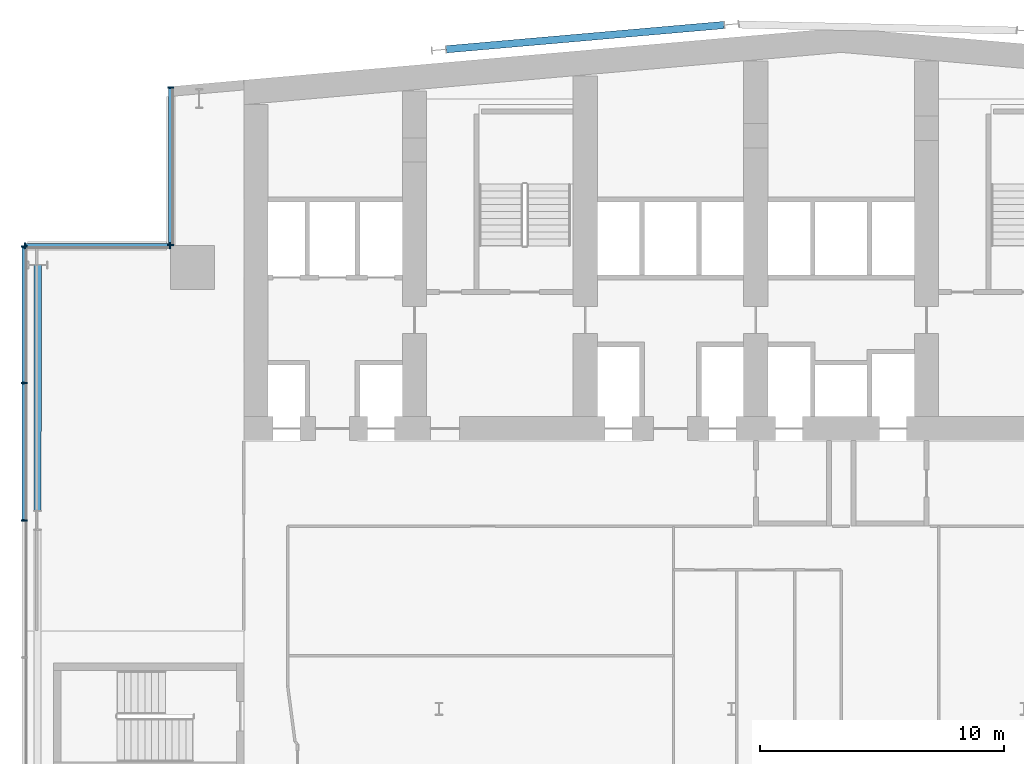
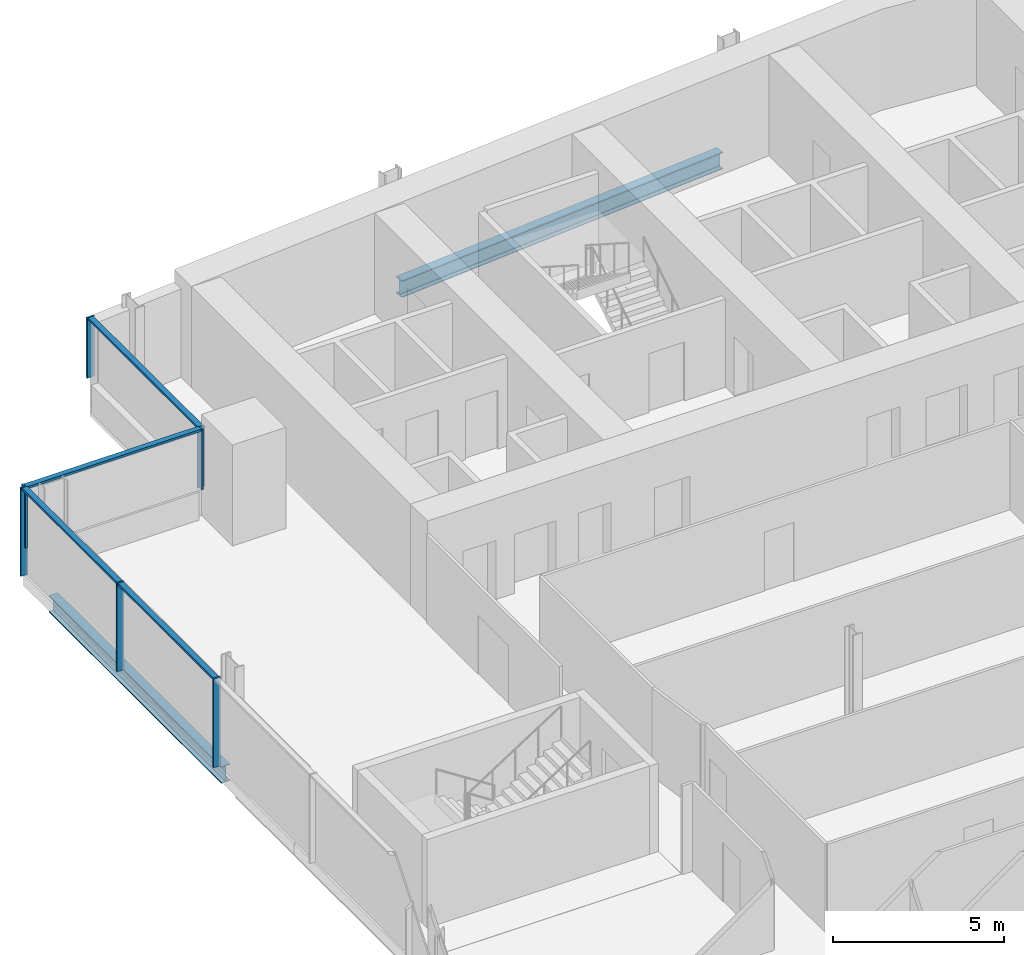
# One storey, part 8 of 25: 11 members, 2 beams, 3 elements without a shape of their own.
"""IFC4 building model written with IfcOpenShell, lengths in metres."""

from ifc_helpers import new_model, si_unit, direction, frame, origin, origin_2d, place, context, subcontext, project, spatial, rectangle, i_section, extrude, material, material_profile, profile_set, type_object, element, aggregate, save


model = new_model("IFC4")

# Units and contexts
model_context = context("Model", 3, precision=1e-05, world=origin(), true_north=direction((0.0, 1.0)))
body_context = subcontext(model_context, "Body", "Model", "MODEL_VIEW")
ifc_project = project(units=[si_unit("LENGTHUNIT", "METRE"), si_unit("AREAUNIT", "SQUARE_METRE"), si_unit("VOLUMEUNIT", "CUBIC_METRE"), si_unit("PLANEANGLEUNIT", "RADIAN"), si_unit("MASSUNIT", "GRAM", prefix="KILO")], contexts=[model_context])

# Site, building, storey
site_placement = place(None, origin())
site = spatial("IfcSite", under=ifc_project, at=site_placement, CompositionType="ELEMENT")
building_placement = place(site_placement, origin())
building = spatial("IfcBuilding", under=site, at=building_placement, Name="Wharfspan Tower", CompositionType="ELEMENT")
storey_placement = place(building_placement, frame((0.0, 0.0, 143.5)))
storey = spatial("IfcBuildingStorey", under=building, at=storey_placement, Name="L34", CompositionType="ELEMENT", Elevation=143.5)

# Beams
ifc_material_1 = material(Name="Steel S355J2", Category="steel")
ifc_material_profile_1 = material_profile(ifc_material_1, i_section(OverallWidth=0.300049, OverallDepth=0.600098, WebThickness=0.015381, FlangeThickness=0.030029, FilletRadius=0.0271, at=origin_2d()))
ifc_profile_set_1 = profile_set([ifc_material_profile_1], Name="Steel S355J2")
beam_type = type_object("IfcBeamType", Name="Edge beam HEB 600", PredefinedType="SPANDREL", material=ifc_profile_set_1)
beam_1_placement = place(storey_placement, frame((35.695068, 51.050537, -0.699951), z_axis=(-0.996194, -0.087162, 0.0), x_axis=(0.087162, -0.996194, 0.0)))
element("IfcBeam", 1, at=beam_1_placement, inside=storey, type_object=beam_type, Name="Edge beam N1 L34 R.2 to R.1", PredefinedType="SPANDREL", context=body_context, shape_type="SweptSolid", body=[
    extrude(i_section(OverallWidth=0.300049, OverallDepth=0.600098, WebThickness=0.015381, FlangeThickness=0.030029, FilletRadius=0.0271, at=origin_2d()), origin(), (0.0, 0.0, 1.0), 11.433594),
])
beam_2_placement = place(storey_placement, frame((7.544434, 41.201416, -0.699951), z_axis=(-0.000412, -1.0, 0.0), x_axis=(1.0, -0.000412, 0.0)))
element("IfcBeam", 2, at=beam_2_placement, inside=storey, type_object=beam_type, Name="Edge beam W L34 PNRW-H.1 to PW.1", PredefinedType="SPANDREL", context=body_context, shape_type="SweptSolid", body=[
    extrude(i_section(OverallWidth=0.300049, OverallDepth=0.600098, WebThickness=0.015381, FlangeThickness=0.030029, FilletRadius=0.0271, at=origin_2d()), origin(), (0.0, 0.0, 1.0), 10.065186),
])

# Curtain wall, members
ifc_material_2 = material(Name="Aluminium 6063-T6", Category="aluminium")
curtain_wall_type = type_object("IfcCurtainWallType", Name="CURTAIN WALL PROW AND END", PredefinedType="NOTDEFINED", material=ifc_material_2)
curtain_wall_1_placement = place(storey_placement, origin())
curtain_wall_1 = element("IfcCurtainWall", 3, at=curtain_wall_1_placement, inside=storey, type_object=curtain_wall_type, Name="Curtain wall NRW-V", PredefinedType="NOTDEFINED")
ifc_material_profile_2 = material_profile(ifc_material_2, rectangle(XDim=0.23999, YDim=0.060059, at=origin_2d()))
ifc_profile_set_2 = profile_set([ifc_material_profile_2], Name="Aluminium 6063-T6")
member_type_1 = type_object("IfcMemberType", Name="MULLION PROW AND END 60x240", PredefinedType="MULLION", material=ifc_profile_set_2)
member_1_placement = place(storey_placement, frame((13.0, 48.494873, 1.0), z_axis=(0.0, 0.0, 1.0), x_axis=(1.0, 0.0, 0.0)))
member_1 = element("IfcMember", 4, at=member_1_placement, type_object=member_type_1, Name="Curtain wall NRW-V mullion 1", PredefinedType="MULLION", context=body_context, shape_type="SweptSolid", body=[
    extrude(rectangle(XDim=0.23999, YDim=0.060059, at=origin_2d()), origin(), (0.0, 0.0, 1.0), 2.149902),
])
member_2_placement = place(storey_placement, frame((13.0, 42.030029, 1.0), z_axis=(0.0, 0.0, 1.0), x_axis=(1.0, 0.0, 0.0)))
member_2 = element("IfcMember", 5, at=member_2_placement, type_object=member_type_1, Name="Curtain wall NRW-V mullion 2", PredefinedType="MULLION", context=body_context, shape_type="SweptSolid", body=[
    extrude(rectangle(XDim=0.23999, YDim=0.060059, at=origin_2d()), origin(), (0.0, 0.0, 1.0), 2.149902),
])

curtain_wall_2_placement = place(storey_placement, origin())
curtain_wall_2 = element("IfcCurtainWall", 6, at=curtain_wall_2_placement, inside=storey, type_object=curtain_wall_type, Name="Curtain wall NRW-H", PredefinedType="NOTDEFINED")
member_3_placement = place(storey_placement, frame((12.969971, 42.0, 1.0), z_axis=(0.0, 0.0, 1.0), x_axis=(0.0, -1.0, 0.0)))
member_3 = element("IfcMember", 7, at=member_3_placement, type_object=member_type_1, Name="Curtain wall NRW-H mullion 1", PredefinedType="MULLION", context=body_context, shape_type="SweptSolid", body=[
    extrude(rectangle(XDim=0.23999, YDim=0.060059, at=origin_2d()), origin(), (0.0, 0.0, 1.0), 2.149902),
])
member_4_placement = place(storey_placement, frame((7.030029, 42.0, 1.0), z_axis=(0.0, 0.0, 1.0), x_axis=(0.0, -1.0, 0.0)))
member_4 = element("IfcMember", 8, at=member_4_placement, type_object=member_type_1, Name="Curtain wall NRW-H mullion 2", PredefinedType="MULLION", context=body_context, shape_type="SweptSolid", body=[
    extrude(rectangle(XDim=0.23999, YDim=0.060059, at=origin_2d()), origin(), (0.0, 0.0, 1.0), 2.149902),
])

curtain_wall_3_placement = place(storey_placement, origin())
curtain_wall_3 = element("IfcCurtainWall", 9, at=curtain_wall_3_placement, inside=storey, type_object=curtain_wall_type, Name="Curtain wall W", PredefinedType="NOTDEFINED")
member_5_placement = place(storey_placement, frame((7.0, 41.969971, 0.0), z_axis=(0.0, 0.0, 1.0), x_axis=(1.0, 0.0, 0.0)))
member_5 = element("IfcMember", 10, at=member_5_placement, type_object=member_type_1, Name="Curtain wall W mullion 1", PredefinedType="MULLION", context=body_context, shape_type="SweptSolid", body=[
    extrude(rectangle(XDim=0.23999, YDim=0.060059, at=origin_2d()), origin(), (0.0, 0.0, 1.0), 3.149902),
])
member_6_placement = place(storey_placement, frame((7.0, 36.366699, 0.0), z_axis=(0.0, 0.0, 1.0), x_axis=(1.0, 0.0, 0.0)))
member_6 = element("IfcMember", 11, at=member_6_placement, type_object=member_type_1, Name="Curtain wall W mullion 2", PredefinedType="MULLION", context=body_context, shape_type="SweptSolid", body=[
    extrude(rectangle(XDim=0.23999, YDim=0.060059, at=origin_2d()), origin(), (0.0, 0.0, 1.0), 3.149902),
])
member_7_placement = place(storey_placement, frame((7.0, 30.733398, 0.0), z_axis=(0.0, 0.0, 1.0), x_axis=(1.0, 0.0, 0.0)))
member_7 = element("IfcMember", 12, at=member_7_placement, type_object=member_type_1, Name="Curtain wall W mullion 3", PredefinedType="MULLION", context=body_context, shape_type="SweptSolid", body=[
    extrude(rectangle(XDim=0.23999, YDim=0.060059, at=origin_2d()), origin(), (0.0, 0.0, 1.0), 3.149902),
])

# Member
ifc_material_profile_3 = material_profile(ifc_material_2, rectangle(XDim=0.179932, YDim=0.080078, at=origin_2d()))
ifc_profile_set_3 = profile_set([ifc_material_profile_3], Name="Aluminium 6063-T6")
member_type_2 = type_object("IfcMemberType", Name="TRANSOM PROW AND END 80x180", PredefinedType="USERDEFINED", material=ifc_profile_set_3)
member_8_placement = place(storey_placement, frame((13.0, 48.464844, 3.110107), z_axis=(0.0, -1.0, 0.0), x_axis=(1.0, 0.0, 0.0)))
member_8 = element("IfcMember", 13, at=member_8_placement, type_object=member_type_2, Name="Curtain wall NRW-V transom 1", ObjectType="TRANSOM", PredefinedType="USERDEFINED", context=body_context, shape_type="SweptSolid", body=[
    extrude(rectangle(XDim=0.179932, YDim=0.080078, at=origin_2d()), origin(), (0.0, 0.0, 1.0), 6.404785),
])

aggregate(curtain_wall_1, [member_1, member_2, member_8])

member_9_placement = place(storey_placement, frame((12.939941, 42.0, 3.110107), z_axis=(-1.0, 0.0, 0.0), x_axis=(0.0, -1.0, 0.0)))
member_9 = element("IfcMember", 14, at=member_9_placement, type_object=member_type_2, Name="Curtain wall NRW-H transom 1", ObjectType="TRANSOM", PredefinedType="USERDEFINED", context=body_context, shape_type="SweptSolid", body=[
    extrude(rectangle(XDim=0.179932, YDim=0.080078, at=origin_2d()), origin(), (0.0, 0.0, 1.0), 5.879883),
])

aggregate(curtain_wall_2, [member_3, member_4, member_9])

member_10_placement = place(storey_placement, frame((7.0, 41.939941, 3.110107), z_axis=(0.0, -1.0, 0.0), x_axis=(1.0, 0.0, 0.0)))
member_10 = element("IfcMember", 15, at=member_10_placement, type_object=member_type_2, Name="Curtain wall W transom 1", ObjectType="TRANSOM", PredefinedType="USERDEFINED", context=body_context, shape_type="SweptSolid", body=[
    extrude(rectangle(XDim=0.179932, YDim=0.080078, at=origin_2d()), origin(), (0.0, 0.0, 1.0), 5.543213),
])

member_11_placement = place(storey_placement, frame((7.0, 36.33667, 3.110107), z_axis=(0.0, -1.0, 0.0), x_axis=(1.0, 0.0, 0.0)))
member_11 = element("IfcMember", 16, at=member_11_placement, type_object=member_type_2, Name="Curtain wall W transom 2", ObjectType="TRANSOM", PredefinedType="USERDEFINED", context=body_context, shape_type="SweptSolid", body=[
    extrude(rectangle(XDim=0.179932, YDim=0.080078, at=origin_2d()), origin(), (0.0, 0.0, 1.0), 5.573242),
])

aggregate(curtain_wall_3, [member_5, member_6, member_7, member_10, member_11])

save(model, "model.ifc")
